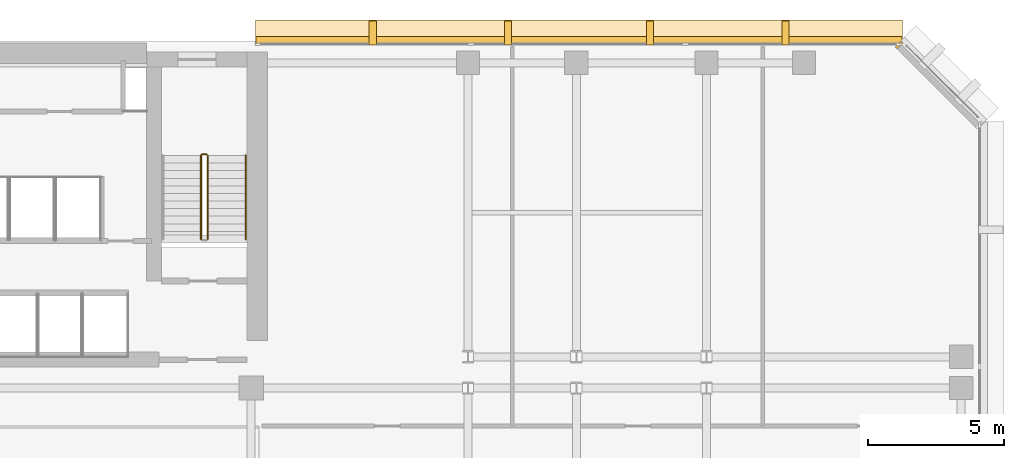
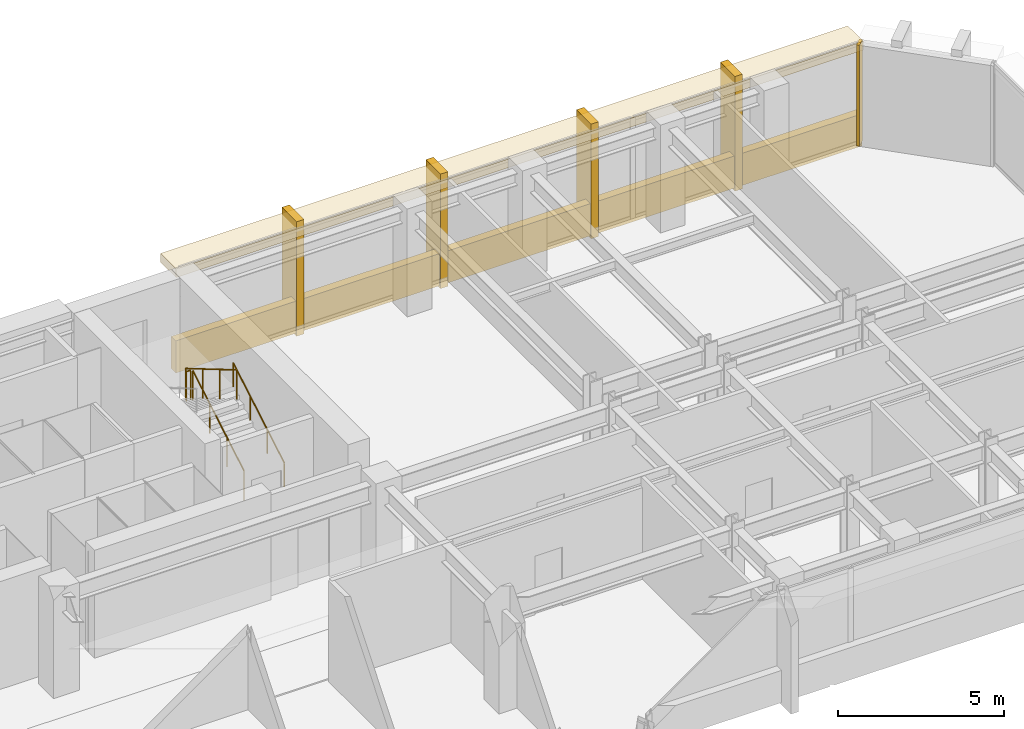
# One storey, part 11 of 12: 7 coverings, 4 railings.
"""IFC4 building model written with IfcOpenShell, lengths in metres."""

import ifcopenshell
import ifcopenshell.guid

model = None  # the IFC model being written
_history = None  # IfcOwnerHistory: only IFC2X3 demands one
_inside = {}  # id of a spatial element -> (the spatial element, [elements in it])
_under = {}  # id of a project, library or spatial element -> (it, [spatial elements below it])
_declared = {}  # id of a project -> (the project, [libraries it declares])
_typed = {}  # id of a type object -> (the type object, [elements of that type])
_made_of = {}  # id of a material, layer set ... -> (it, [elements and type objects made of it])


def new_model(schema):
    """Start an empty IFC model of exactly this schema.

    Asked for "IFC4X3", IfcOpenShell would pick the latest addendum, in which some entities
    have other attributes; the version numbers below select the first issue.
    IFC2X3 requires an IfcOwnerHistory on every rooted entity: one is made here for all.
    """
    global model, _history
    if schema == "IFC4X3":
        model = ifcopenshell.file(schema_version=(4, 3, 0, 0))
    else:
        model = ifcopenshell.file(schema=schema)
    _inside.clear()
    _under.clear()
    _declared.clear()
    _typed.clear()
    _made_of.clear()
    _history = None
    if model.schema == "IFC2X3":
        org = make("IfcOrganization", Name="unknown")
        user = make(
            "IfcPersonAndOrganization",
            ThePerson=make("IfcPerson", FamilyName="unknown"),
            TheOrganization=org,
        )
        app = make(
            "IfcApplication",
            ApplicationDeveloper=org,
            Version="unknown",
            ApplicationFullName="unknown",
            ApplicationIdentifier="unknown",
        )
        _history = make(
            "IfcOwnerHistory",
            OwningUser=user,
            OwningApplication=app,
            ChangeAction="ADDED",
            CreationDate=0,
        )
    return model


def make(cls, **values):
    """One entity of the class cls with the attributes given. An attribute that is None is left unset."""
    return model.create_entity(
        cls, **{name: value for name, value in values.items() if value is not None}
    )


def rooted(cls, **values):
    """An entity with a GlobalId (a new one), such as an element, a storey or a relation."""
    return make(cls, GlobalId=ifcopenshell.guid.new(), OwnerHistory=_history, **values)


def si_unit(unit_type, name, prefix=None):
    """IfcSIUnit, for example si_unit("LENGTHUNIT", "METRE", prefix="MILLI")."""
    return make("IfcSIUnit", UnitType=unit_type, Prefix=prefix, Name=name)


def assignment(units):
    """IfcUnitAssignment: the units of a project."""
    return None if units is None else make("IfcUnitAssignment", Units=units)


def point(xyz):
    """IfcCartesianPoint."""
    return None if xyz is None else make("IfcCartesianPoint", Coordinates=xyz)


def direction(xyz):
    """IfcDirection."""
    return None if xyz is None else make("IfcDirection", DirectionRatios=xyz)


def frame(location, z_axis=None, x_axis=None):
    """IfcAxis2Placement3D, a coordinate frame: its origin and axes. An axis left out is left unset."""
    return make(
        "IfcAxis2Placement3D",
        Location=point(location),
        Axis=direction(z_axis),
        RefDirection=direction(x_axis),
    )


def frame_2d(location, x_axis=None):
    """IfcAxis2Placement2D, a coordinate frame in the plane: its origin and x axis."""
    return make(
        "IfcAxis2Placement2D", Location=point(location), RefDirection=direction(x_axis)
    )


def origin():
    """The frame at (0, 0, 0) with its axes left unset."""
    return frame((0.0, 0.0, 0.0))


def origin_2d():
    """The frame at (0, 0) in the plane with its x axis left unset."""
    return frame_2d((0.0, 0.0))


def place(relative_to, where):
    """IfcLocalPlacement: puts the frame where relative to a parent placement (None: the world)."""
    return make(
        "IfcLocalPlacement", PlacementRelTo=relative_to, RelativePlacement=where
    )


def context(
    kind, dimensions, precision=None, world=None, true_north=None, identifier=None
):
    """IfcGeometricRepresentationContext, for example the 3D "Model" context."""
    return make(
        "IfcGeometricRepresentationContext",
        ContextIdentifier=identifier,
        ContextType=kind,
        CoordinateSpaceDimension=dimensions,
        Precision=precision,
        WorldCoordinateSystem=world,
        TrueNorth=true_north,
    )


def subcontext(parent, identifier, kind, view, scale=None):
    """IfcGeometricRepresentationSubContext, for example "Body" below "Model"."""
    return make(
        "IfcGeometricRepresentationSubContext",
        ContextIdentifier=identifier,
        ContextType=kind,
        ParentContext=parent,
        TargetScale=scale,
        TargetView=view,
    )


def project(units=None, contexts=None):
    """IfcProject with its units and contexts."""
    return rooted(
        "IfcProject",
        Name="project",
        RepresentationContexts=contexts,
        UnitsInContext=assignment(units),
    )


def spatial(cls, under=None, at=None, **own):
    """A site, building, storey or space (cls), placed at a placement, below another one or the project."""
    s = rooted(cls, ObjectPlacement=at, **own)
    if under is not None:
        _under.setdefault(under.id(), (under, []))[1].append(s)
    return s


def profile(cls, at=None, kind="AREA", **sizes):
    """A parametric profile (cls). Its sizes go by their IFC names, for example OverallWidth=200.0."""
    return make(cls, ProfileType=kind, Position=at, **sizes)


def rectangle(**sizes):
    """IfcRectangleProfileDef."""
    return profile("IfcRectangleProfileDef", **sizes)


def circle(**sizes):
    """IfcCircleProfileDef."""
    return profile("IfcCircleProfileDef", **sizes)


def extrude(swept, where, along, depth):
    """IfcExtrudedAreaSolid: the profile swept, set in the frame where, extruded along a direction by depth."""
    return make(
        "IfcExtrudedAreaSolid",
        SweptArea=swept,
        Position=where,
        ExtrudedDirection=direction(along),
        Depth=depth,
    )


def shape(context_of_items, identifier, shape_type, items):
    """IfcShapeRepresentation: the items that make up one representation, for example the "Body"."""
    return make(
        "IfcShapeRepresentation",
        ContextOfItems=context_of_items,
        RepresentationIdentifier=identifier,
        RepresentationType=shape_type,
        Items=items,
    )


def material(Name=None, Category=None):
    """IfcMaterial."""
    return make("IfcMaterial", Name=Name, Category=Category)


def layer(
    of_material, thickness, ventilated=None, Name=None, Category=None, Priority=None
):
    """IfcMaterialLayer: one layer of a wall or slab, of a material (None: an air gap)."""
    return make(
        "IfcMaterialLayer",
        Material=of_material,
        LayerThickness=thickness,
        IsVentilated=ventilated,
        Name=Name,
        Category=Category,
        Priority=Priority,
    )


def layer_set(layers, Name=None):
    """IfcMaterialLayerSet."""
    return make("IfcMaterialLayerSet", MaterialLayers=layers, LayerSetName=Name)


def made_of(thing, what):
    """Note that an element or type object is made of a material, layer set ...; save() writes the relation."""
    if what is not None:
        _made_of.setdefault(what.id(), (what, []))[1].append(thing)
    return thing


def type_object(cls, material=None, **own):
    """A type object (cls), such as IfcWallType, which elements share."""
    return made_of(rooted(cls, **own), material)


def element(
    cls,
    number,
    at=None,
    inside=None,
    cuts=None,
    type_object=None,
    material=None,
    context=None,
    identifier="Body",
    shape_type=None,
    held_by="IfcProductDefinitionShape",
    body=None,
    shapes=None,
    **own,
):
    """One element of the class cls, such as IfcWall. Its Tag is "e" and its number.

    at: its placement. inside: the storey or other place that contains it. cuts: it is an
    opening in that element (IfcRelVoidsElement). A single representation is given by context,
    identifier, shape_type and body (its items); several are given by shapes. held_by: the class
    of the entity that holds the representations. save() writes the other relations.
    """
    e = rooted(cls, Tag="e%d" % number, ObjectPlacement=at, **own)
    if body is not None:
        shapes = [shape(context, identifier, shape_type, body)]
    if shapes is not None:
        e.Representation = make(held_by, Representations=shapes)
    if inside is not None:
        _inside.setdefault(inside.id(), (inside, []))[1].append(e)
    if cuts is not None:
        rooted(
            "IfcRelVoidsElement", RelatingBuildingElement=cuts, RelatedOpeningElement=e
        )
    if type_object is not None:
        _typed.setdefault(type_object.id(), (type_object, []))[1].append(e)
    return made_of(e, material)


def aggregate(whole, parts):
    """IfcRelAggregates: a whole, such as a stair, and the parts it consists of."""
    return rooted("IfcRelAggregates", RelatingObject=whole, RelatedObjects=parts)


def save(model, path):
    """Write the relations noted so far, then the file.

    IfcRelAggregates (storeys below a building ...), IfcRelContainedInSpatialStructure (elements
    in a storey), IfcRelDefinesByType, IfcRelAssociatesMaterial and IfcRelDeclares: one each for
    every whole, place, type object, material and project.
    """
    for whole, parts in _under.values():
        aggregate(whole, parts)
    for where, things in _inside.values():
        rooted(
            "IfcRelContainedInSpatialStructure",
            RelatedElements=things,
            RelatingStructure=where,
        )
    for kind, things in _typed.values():
        rooted("IfcRelDefinesByType", RelatedObjects=things, RelatingType=kind)
    for what, things in _made_of.values():
        rooted("IfcRelAssociatesMaterial", RelatedObjects=things, RelatingMaterial=what)
    for by, libraries in _declared.values():
        rooted("IfcRelDeclares", RelatingContext=by, RelatedDefinitions=libraries)
    model.write(path)


model = new_model("IFC4")

# Units and contexts
model_context = context("Model", 3, precision=1e-05, world=origin(), true_north=direction((0.0, 1.0)))
body_context = subcontext(model_context, "Body", "Model", "MODEL_VIEW")
ifc_project = project(units=[si_unit("LENGTHUNIT", "METRE"), si_unit("AREAUNIT", "SQUARE_METRE"), si_unit("VOLUMEUNIT", "CUBIC_METRE"), si_unit("PLANEANGLEUNIT", "RADIAN"), si_unit("MASSUNIT", "GRAM", prefix="KILO")], contexts=[model_context])

# Site, building, storey
site_placement = place(None, origin())
site = spatial("IfcSite", under=ifc_project, at=site_placement, CompositionType="ELEMENT")
building_placement = place(site_placement, origin())
building = spatial("IfcBuilding", under=site, at=building_placement, Name="Kefirva Bronze Tower", CompositionType="ELEMENT")
storey_placement = place(building_placement, frame((0.0, 0.0, 122.429931640625)))
storey = spatial("IfcBuildingStorey", under=building, at=storey_placement, Name="L29", CompositionType="ELEMENT", Elevation=122.429931640625)

# Coverings
ifc_material_1 = material(Name="Bronze anodised aluminium", Category="aluminium")
ifc_layer_1 = layer(ifc_material_1, 0.02001953125, Name="Bronze anodised aluminium")
ifc_layer_set_1 = layer_set([ifc_layer_1], Name="Bronze anodised aluminium")
covering_type_1 = type_object("IfcCoveringType", Name="Anodised Bronze Spandrel Cladding 20mm", PredefinedType="CLADDING", material=ifc_layer_set_1)
covering_1_placement = place(storey_placement, frame((47.11181640625, 45.862060546875, 0.0), z_axis=(0.0, 0.0, 1.0), x_axis=(-0.707106781187, 0.707106781187, 0.0)))
element("IfcCovering", 1, at=covering_1_placement, inside=storey, type_object=covering_type_1, Name="L29 Facade Joint Closure Panel 4E", PredefinedType="CLADDING", context=body_context, shape_type="SweptSolid", body=[
    extrude(rectangle(XDim=0.10009765625, YDim=0.320068359375, at=origin_2d()), origin(), (0.0, 0.0, 1.0), 3.7099609375),
])
covering_2_placement = place(storey_placement, frame((35.302490234375, 46.0400390625, -0.15966796875), z_axis=(0.0, 0.0, 1.0), x_axis=(-1.0, 0.0, 0.0)))
element("IfcCovering", 2, at=covering_2_placement, inside=storey, type_object=covering_type_1, Name="L29 Streamline Horizontal Spandrel Band 8", PredefinedType="CLADDING", context=body_context, shape_type="SweptSolid", body=[
    extrude(rectangle(XDim=23.8349609375, YDim=0.280029296875, at=origin_2d()), origin(), (0.0, 0.0, 1.0), 1.179931640625),
])

# Railings
ifc_material_2 = material(Name="Stainless steel 316", Category="steel")
railing_type_1 = type_object("IfcRailingType", Name="Interior Stair Guardrail 1100mm", PredefinedType="GUARDRAIL", material=ifc_material_2)
railing_1_placement = place(storey_placement, frame((21.60009765625, 38.699951171875, 0.1650390625)))
element("IfcRailing", 3, at=railing_1_placement, inside=storey, type_object=railing_type_1, Name="L29 ST-2 stair guard 1", PredefinedType="GUARDRAIL", context=body_context, shape_type="SweptSolid", body=[
    extrude(circle(Radius=0.02392578125, at=origin_2d()), frame((0.0, 0.0, 1.076171875), z_axis=(0.0, 0.861551262678, 0.507670583921), x_axis=(-1.0, 0.0, 0.0)), (0.0, 0.0, 1.0), 3.574951171875),
    extrude(circle(Radius=0.02099609375, at=origin_2d()), origin(), (0.0, 0.0, 1.0), 1.052001953125),
    extrude(circle(Radius=0.02099609375, at=origin_2d()), frame((0.0, 1.026611328125, 0.60498046875)), (0.0, 0.0, 1.0), 1.052001953125),
    extrude(circle(Radius=0.02099609375, at=origin_2d()), frame((0.0, 2.053466796875, 1.2099609375)), (0.0, 0.0, 1.0), 1.052001953125),
    extrude(circle(Radius=0.02099609375, at=origin_2d()), frame((0.0, 3.080078125, 1.81494140625)), (0.0, 0.0, 1.0), 1.052001953125),
])
railing_2_placement = place(storey_placement, frame((21.550048828125, 41.830078125, 1.97998046875)))
element("IfcRailing", 4, at=railing_2_placement, inside=storey, type_object=railing_type_1, Name="L29 ST-2 stair guard 2", PredefinedType="GUARDRAIL", context=body_context, shape_type="SweptSolid", body=[
    extrude(circle(Radius=0.02392578125, at=origin_2d()), frame((0.0, 0.0, 1.076171875), z_axis=(-1.0, 0.0, 0.0), x_axis=(0.0, -1.0, 0.0)), (0.0, 0.0, 1.0), 0.150146484375),
    extrude(circle(Radius=0.02099609375, at=origin_2d()), origin(), (0.0, 0.0, 1.0), 1.052001953125),
    extrude(circle(Radius=0.02099609375, at=origin_2d()), frame((-0.150146484375, 0.0, 0.0)), (0.0, 0.0, 1.0), 1.052001953125),
])
railing_3_placement = place(storey_placement, frame((21.35009765625, 41.780029296875, 2.14501953125)))
element("IfcRailing", 5, at=railing_3_placement, inside=storey, type_object=railing_type_1, Name="L29 ST-2 stair guard 3", PredefinedType="GUARDRAIL", context=body_context, shape_type="SweptSolid", body=[
    extrude(circle(Radius=0.02392578125, at=origin_2d()), frame((0.0, 0.0, 1.076171875), z_axis=(0.0, -0.861551262678, 0.507670583921), x_axis=(1.0, 0.0, 0.0)), (0.0, 0.0, 1.0), 3.574951171875),
    extrude(circle(Radius=0.02099609375, at=origin_2d()), origin(), (0.0, 0.0, 1.0), 1.052001953125),
    extrude(circle(Radius=0.02099609375, at=origin_2d()), frame((0.0, -1.026611328125, 0.60498046875)), (0.0, 0.0, 1.0), 1.052001953125),
    extrude(circle(Radius=0.02099609375, at=origin_2d()), frame((0.0, -2.053466796875, 1.2099609375)), (0.0, 0.0, 1.0), 1.052001953125),
    extrude(circle(Radius=0.02099609375, at=origin_2d()), frame((0.0, -3.080078125, 1.81494140625)), (0.0, 0.0, 1.0), 1.052001953125),
])
railing_type_2 = type_object("IfcRailingType", Name="Stair Pitch Handrail 900mm", PredefinedType="HANDRAIL", material=ifc_material_2)
railing_4_placement = place(storey_placement, frame((23.0, 38.699951171875, 0.1650390625)))
element("IfcRailing", 6, at=railing_4_placement, inside=storey, type_object=railing_type_2, Name="L29 ST-2 stair handrail 1", PredefinedType="HANDRAIL", context=body_context, shape_type="SweptSolid", body=[
    extrude(circle(Radius=0.02392578125, at=origin_2d()), frame((0.0, 0.0, 0.8759765625), z_axis=(0.0, 0.861551262678, 0.507670583921), x_axis=(-1.0, 0.0, 0.0)), (0.0, 0.0, 1.0), 3.574951171875),
    extrude(circle(Radius=0.02099609375, at=origin_2d()), origin(), (0.0, 0.0, 1.0), 0.851806640625),
    extrude(circle(Radius=0.02099609375, at=origin_2d()), frame((0.0, 1.026611328125, 0.60498046875)), (0.0, 0.0, 1.0), 0.851806640625),
    extrude(circle(Radius=0.02099609375, at=origin_2d()), frame((0.0, 2.053466796875, 1.2099609375)), (0.0, 0.0, 1.0), 0.851806640625),
    extrude(circle(Radius=0.02099609375, at=origin_2d()), frame((0.0, 3.080078125, 1.81494140625)), (0.0, 0.0, 1.0), 0.851806640625),
])

# Coverings
ifc_layer_2 = layer(ifc_material_1, 0.179931640625, Name="Bronze anodised aluminium")
ifc_layer_set_2 = layer_set([ifc_layer_2], Name="Bronze anodised aluminium")
covering_type_2 = type_object("IfcCoveringType", Name="Streamline Bronze Sunshade Eyebrow Cladding 180mm", PredefinedType="CLADDING", material=ifc_layer_set_2)
covering_3_placement = place(storey_placement, frame((35.302490234375, 46.31005859375, 3.39013671875), z_axis=(0.0, 0.0, 1.0), x_axis=(-1.0, 0.0, 0.0)))
element("IfcCovering", 7, at=covering_3_placement, inside=storey, type_object=covering_type_2, Name="L29 Streamline Bronze Sunshade Eyebrow 8", PredefinedType="CLADDING", context=body_context, shape_type="SweptSolid", body=[
    extrude(rectangle(XDim=23.875, YDim=0.93994140625, at=origin_2d()), origin(), (0.0, 0.0, 1.0), 0.320068359375),
])
ifc_layer_3 = layer(ifc_material_1, 0.260009765625, Name="Bronze anodised aluminium")
ifc_layer_set_3 = layer_set([ifc_layer_3], Name="Bronze anodised aluminium")
covering_type_3 = type_object("IfcCoveringType", Name="Unbroken Bronze Buttress Fin Cladding 260mm", PredefinedType="CLADDING", material=ifc_layer_set_3)
for number, where, z_axis, x_axis, name in (
    (8, (42.9169921875, 46.300048828125, -0.25), (0.0, 0.0, 1.0), (-1.0, 0.0, 0.0), "L29 Unbroken Vertical Bronze Rib Fin 17"),
    (9, (37.919921875, 46.300048828125, -0.25), (0.0, 0.0, 1.0), (-1.0, 0.0, 0.0), "L29 Unbroken Vertical Bronze Rib Fin 18"),
    (10, (32.68505859375, 46.300048828125, -0.25), (0.0, 0.0, 1.0), (-1.0, 0.0, 0.0), "L29 Unbroken Vertical Bronze Rib Fin 19"),
    (11, (27.68798828125, 46.300048828125, -0.25), (0.0, 0.0, 1.0), (-1.0, 0.0, 0.0), "L29 Unbroken Vertical Bronze Rib Fin 20"),
):
    element("IfcCovering", number, at=place(storey_placement, frame(where, z_axis=z_axis, x_axis=x_axis)), inside=storey, type_object=covering_type_3, Name=name, PredefinedType="CLADDING", context=body_context, shape_type="SweptSolid", body=[
        extrude(rectangle(XDim=0.260009765625, YDim=0.8798828125, at=origin_2d()), origin(), (0.0, 0.0, 1.0), 4.2099609375),
    ])

save(model, "model.ifc")
